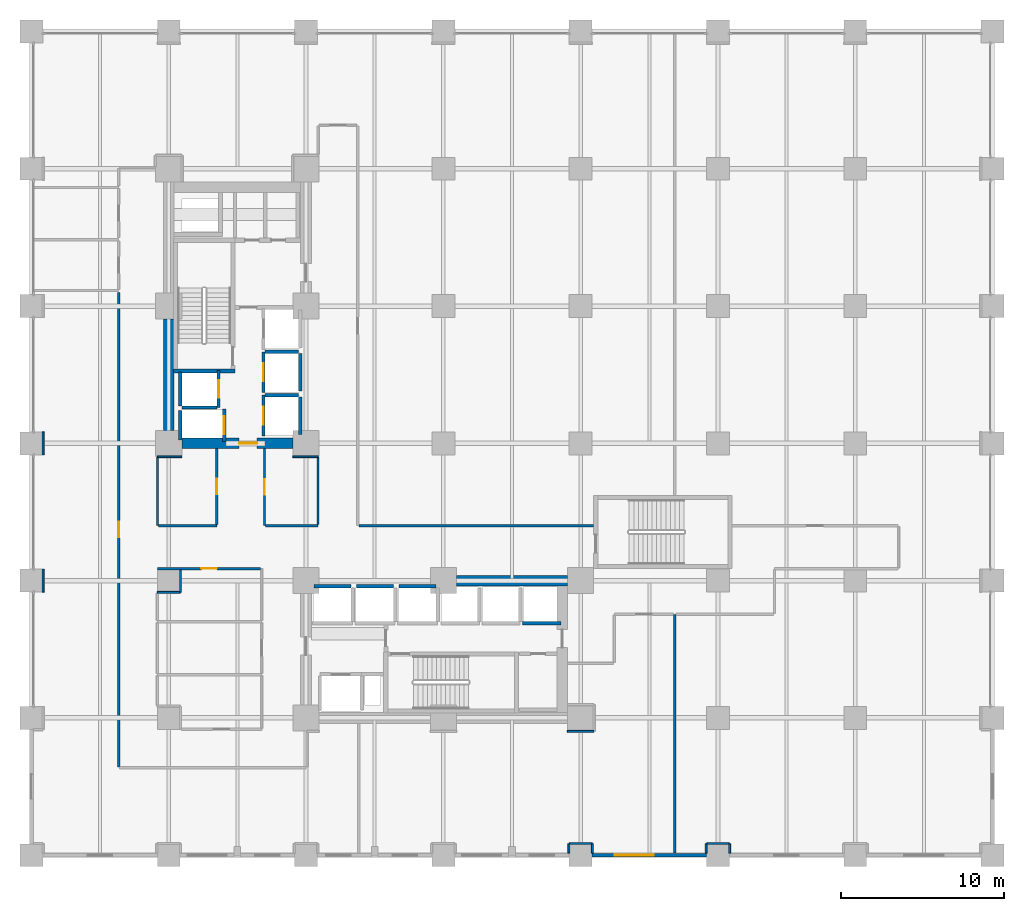
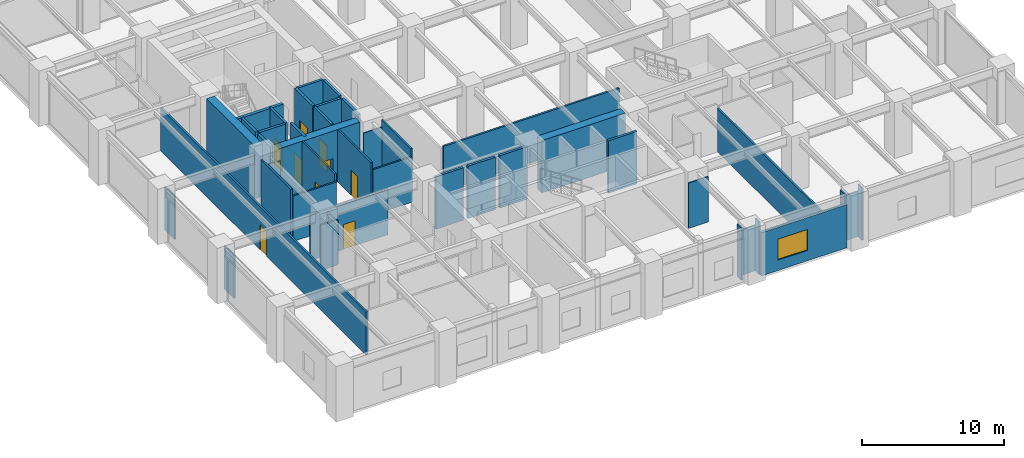
# One storey, part 20 of 23: 43 walls, 9 doors, 1 window, 10 openings.
"""IFC4 building model written with IfcOpenShell, lengths in metres."""

from ifc_helpers import new_model, si_unit, direction, frame, frame_2d, origin, place, context, subcontext, project, spatial, rectangle, extrude, material, layer, layer_set, type_object, element, fill, save


model = new_model("IFC4")

# Units and contexts
model_context = context("Model", 3, precision=1e-05, world=origin(), true_north=direction((0.0, 1.0)))
body_context = subcontext(model_context, "Body", "Model", "MODEL_VIEW")
ifc_project = project(units=[si_unit("LENGTHUNIT", "METRE"), si_unit("AREAUNIT", "SQUARE_METRE"), si_unit("VOLUMEUNIT", "CUBIC_METRE"), si_unit("PLANEANGLEUNIT", "RADIAN"), si_unit("MASSUNIT", "GRAM", prefix="KILO")], contexts=[model_context])

# Site, building, storey
site_placement = place(None, origin())
site = spatial("IfcSite", under=ifc_project, at=site_placement, CompositionType="ELEMENT")
building_placement = place(site_placement, origin())
building = spatial("IfcBuilding", under=site, at=building_placement, Name="Nerrivon Quay Data Exchange", CompositionType="ELEMENT")
storey_placement = place(building_placement, frame((0.0, 0.0, 5.39990234375)))
storey = spatial("IfcBuildingStorey", under=building, at=storey_placement, Name="L01", CompositionType="ELEMENT", Elevation=5.39990234375)

# Wall, opening, window
ifc_material_1 = material(Name="Architectural terracotta precast concrete N50 (50 MPa)", Category="masonry")
ifc_layer_1 = layer(ifc_material_1, 0.239990234375)
ifc_layer_set_1 = layer_set([ifc_layer_1], Name="Architectural terracotta precast concrete N50 (50 MPa)")
wall_type_1 = type_object("IfcWallType", Name="EW-PREC-240", PredefinedType="STANDARD", material=ifc_layer_set_1)
wall_1_placement = place(storey_placement, frame((41.300048828125, 0.0, 0.0), z_axis=(0.0, 0.0, 1.0), x_axis=(-1.0, 0.0, 0.0)))
wall_1 = element("IfcWall", 1, at=wall_1_placement, inside=storey, type_object=wall_type_1, Name="L01 Podium Precast Spandrel Wall 22", PredefinedType="STANDARD", context=body_context, shape_type="SweptSolid", body=[
    extrude(rectangle(XDim=7.0, YDim=0.239990234375, at=frame_2d((3.5, 0.0))), origin(), (0.0, 0.0, 1.0), 3.72509765625),
])
opening_1_placement = place(wall_1_placement, frame((3.22412109375, 0.0, 0.89990234375)))
opening_1 = element("IfcOpeningElement", 2, at=opening_1_placement, cuts=wall_1, Name="Opening WN1", PredefinedType="OPENING", context=body_context, shape_type="SweptSolid", body=[
    extrude(rectangle(XDim=2.39990234375, YDim=1.800048828125, at=frame_2d((1.199951171875, 0.89990234375))), frame((0.0, 0.1298828125, 0.0), z_axis=(0.0, -1.0, 0.0), x_axis=(1.0, 0.0, 0.0)), (0.0, 0.0, 1.0), 0.260009765625),
])
ifc_material_2 = material(Name="Double-glazed low-E solar control glass", Category="glass")
window_type = type_object("IfcWindowType", Name="WIN-W1-2400x1800", PartitioningType="SINGLE_PANEL", PredefinedType="WINDOW", material=ifc_material_2)
window_placement = place(opening_1_placement, origin())
window = element("IfcWindow", 3, at=window_placement, inside=storey, type_object=window_type, Name="L01 Solar Facade Window 22", OverallHeight=1.800048828125, OverallWidth=2.39990234375, PartitioningType="SINGLE_PANEL", PredefinedType="WINDOW", context=body_context, shape_type="SweptSolid", body=[
    extrude(rectangle(XDim=2.39990234375, YDim=1.800048828125, at=frame_2d((1.199951171875, 0.89990234375))), frame((0.0, 0.030029296875, 0.0), z_axis=(0.0, -1.0, 0.0), x_axis=(1.0, 0.0, 0.0)), (0.0, 0.0, 1.0), 0.06005859375),
])
fill(opening_1, window)

# Wall
ifc_material_3 = material(Name="Concrete N80 (80 MPa)", Category="concrete")
ifc_layer_2 = layer(ifc_material_3, 0.64990234375)
ifc_layer_set_2 = layer_set([ifc_layer_2], Name="Concrete N80 (80 MPa)")
wall_type_2 = type_object("IfcWallType", Name="WALL-CW-850", PredefinedType="SHEAR", material=ifc_layer_set_2)
wall_2_placement = place(storey_placement, frame((8.39990234375, 26.0, 0.0), z_axis=(0.0, 0.0, 1.0), x_axis=(0.0, 1.0, 0.0)))
element("IfcWall", 4, at=wall_2_placement, inside=storey, type_object=wall_type_2, Name="L01 West Split-Core Shear Wall WCW-W1", PredefinedType="SHEAR", context=body_context, shape_type="SweptSolid", body=[
    extrude(rectangle(XDim=6.800048828125, YDim=0.64990234375, at=frame_2d((3.39990234375, 0.0))), origin(), (0.0, 0.0, 1.0), 4.525146484375),
])

# Wall, opening, door
wall_3_placement = place(storey_placement, frame((9.199951171875, 25.199951171875, 0.0), z_axis=(0.0, 0.0, 1.0), x_axis=(1.0, 0.0, 0.0)))
wall_3 = element("IfcWall", 5, at=wall_3_placement, inside=storey, type_object=wall_type_2, Name="L01 West Split-Core Shear Wall WCW-S1", PredefinedType="SHEAR", context=body_context, shape_type="SweptSolid", body=[
    extrude(rectangle(XDim=6.800048828125, YDim=0.64990234375, at=frame_2d((3.39990234375, 0.0))), origin(), (0.0, 0.0, 1.0), 4.525146484375),
])
opening_2_placement = place(wall_3_placement, frame((3.5, 0.0, 0.0)))
opening_2 = element("IfcOpeningElement", 6, at=opening_2_placement, cuts=wall_3, Name="Opening FD-120", PredefinedType="OPENING", context=body_context, shape_type="SweptSolid", body=[
    extrude(rectangle(XDim=1.10009765625, YDim=2.14990234375, at=frame_2d((0.550048828125, 1.074951171875))), frame((0.0, 0.3349609375, 0.0), z_axis=(0.0, -1.0, 0.0), x_axis=(1.0, 0.0, 0.0)), (0.0, 0.0, 1.0), 0.669921875),
])
ifc_material_4 = material(Name="Powder-coated galvanized steel sheet", Category="steel")
door_type_1 = type_object("IfcDoorType", Name="DR-FD120-1100", OperationType="NOTDEFINED", PredefinedType="DOOR", material=ifc_material_4)
door_1_placement = place(opening_2_placement, origin())
door_1 = element("IfcDoor", 7, at=door_1_placement, inside=storey, type_object=door_type_1, Name="L01 West Core Lobby Fire Door", OperationType="SINGLE_SWING_LEFT", OverallHeight=2.14990234375, OverallWidth=1.10009765625, PredefinedType="DOOR", context=body_context, shape_type="SweptSolid", body=[
    extrude(rectangle(XDim=1.10009765625, YDim=2.14990234375, at=frame_2d((0.550048828125, 1.074951171875))), frame((0.0, 0.02490234375, 0.0), z_axis=(0.0, -1.0, 0.0), x_axis=(1.0, 0.0, 0.0)), (0.0, 0.0, 1.0), 0.050048828125),
])
fill(opening_2, door_1)

# Wall
wall_4_placement = place(storey_placement, frame((26.0, 16.800048828125, 0.0), z_axis=(0.0, 0.0, 1.0), x_axis=(1.0, 0.0, 0.0)))
element("IfcWall", 8, at=wall_4_placement, inside=storey, type_object=wall_type_2, Name="L01 East Split-Core Shear Wall ECW-N1", PredefinedType="SHEAR", context=body_context, shape_type="SweptSolid", body=[
    extrude(rectangle(XDim=6.800048828125, YDim=0.64990234375, at=frame_2d((3.39990234375, 0.0))), origin(), (0.0, 0.0, 1.0), 4.525146484375),
])

# Wall, opening, door
ifc_material_5 = material(Name="Gypsum plasterboard on cold-formed framing", Category="gypsum")
ifc_layer_3 = layer(ifc_material_5, 0.199951171875)
ifc_layer_set_3 = layer_set([ifc_layer_3], Name="Gypsum plasterboard on cold-formed framing")
wall_type_3 = type_object("IfcWallType", Name="WALL-FW-200", PredefinedType="PARTITIONING", material=ifc_layer_set_3)
wall_5_placement = place(storey_placement, frame((11.449951171875, 27.39990234375, 0.0), z_axis=(0.0, 0.0, 1.0), x_axis=(0.0, 1.0, 0.0)))
wall_5 = element("IfcWall", 9, at=wall_5_placement, inside=storey, type_object=wall_type_3, Name="L01 Lift Front Wall FFL-1", PredefinedType="PARTITIONING", context=body_context, shape_type="SweptSolid", body=[
    extrude(rectangle(XDim=2.25, YDim=0.199951171875, at=frame_2d((1.125, 0.0))), origin(), (0.0, 0.0, 1.0), 4.525146484375),
])
opening_3_placement = place(wall_5_placement, frame((0.574951171875, 0.0, 0.0)))
opening_3 = element("IfcOpeningElement", 10, at=opening_3_placement, cuts=wall_5, Name="Opening LD-120", PredefinedType="OPENING", context=body_context, shape_type="SweptSolid", body=[
    extrude(rectangle(XDim=1.10009765625, YDim=2.199951171875, at=frame_2d((0.550048828125, 1.10009765625))), frame((0.0, 0.10986328125, 0.0), z_axis=(0.0, -1.0, 0.0), x_axis=(1.0, 0.0, 0.0)), (0.0, 0.0, 1.0), 0.219970703125),
])
door_type_2 = type_object("IfcDoorType", Name="DR-LIFT-LD120", OperationType="DOUBLE_DOOR_SLIDING", PredefinedType="DOOR", material=ifc_material_4)
door_2_placement = place(opening_3_placement, origin())
door_2 = element("IfcDoor", 11, at=door_2_placement, inside=storey, type_object=door_type_2, Name="L01 Lift Landing Sliding Door FFL-1", OperationType="DOUBLE_DOOR_SLIDING", OverallHeight=2.199951171875, OverallWidth=1.10009765625, PredefinedType="DOOR", context=body_context, shape_type="SweptSolid", body=[
    extrude(rectangle(XDim=1.10009765625, YDim=2.199951171875, at=frame_2d((0.550048828125, 1.10009765625))), frame((0.0, 0.02490234375, 0.0), z_axis=(0.0, -1.0, 0.0), x_axis=(1.0, 0.0, 0.0)), (0.0, 0.0, 1.0), 0.050048828125),
])
fill(opening_3, door_2)

# Walls
wall_6_placement = place(storey_placement, frame((9.10009765625, 27.5, 0.0), z_axis=(0.0, 0.0, 1.0), x_axis=(0.0, 1.0, 0.0)))
element("IfcWall", 12, at=wall_6_placement, inside=storey, type_object=wall_type_3, Name="L01 Lift Shaft Wall FFL-1 WEST", PredefinedType="PARTITIONING", context=body_context, shape_type="SweptSolid", body=[
    extrude(rectangle(XDim=2.050048828125, YDim=0.199951171875, at=frame_2d((1.02490234375, 0.0))), origin(), (0.0, 0.0, 1.0), 4.525146484375),
])
wall_7_placement = place(storey_placement, frame((9.199951171875, 27.39990234375, 0.0), z_axis=(0.0, 0.0, 1.0), x_axis=(1.0, 0.0, 0.0)))
element("IfcWall", 13, at=wall_7_placement, inside=storey, type_object=wall_type_3, Name="L01 Lift Shaft Wall FFL-1 SOUTH", PredefinedType="PARTITIONING", context=body_context, shape_type="SweptSolid", body=[
    extrude(rectangle(XDim=2.150146484375, YDim=0.199951171875, at=frame_2d((1.0751953125, 0.0))), origin(), (0.0, 0.0, 1.0), 4.525146484375),
])

# Wall, opening, door
wall_8_placement = place(storey_placement, frame((11.800048828125, 25.300048828125, 0.0), z_axis=(0.0, 0.0, 1.0), x_axis=(0.0, 1.0, 0.0)))
wall_8 = element("IfcWall", 14, at=wall_8_placement, inside=storey, type_object=wall_type_3, Name="L01 Lift Front Wall SVL-1", PredefinedType="PARTITIONING", context=body_context, shape_type="SweptSolid", body=[
    extrude(rectangle(XDim=2.0, YDim=0.199951171875, at=frame_2d((1.0, 0.0))), origin(), (0.0, 0.0, 1.0), 4.525146484375),
])
opening_4_placement = place(wall_8_placement, frame((0.449951171875, 0.0, 0.0)))
opening_4 = element("IfcOpeningElement", 15, at=opening_4_placement, cuts=wall_8, Name="Opening LD-120", PredefinedType="OPENING", context=body_context, shape_type="SweptSolid", body=[
    extrude(rectangle(XDim=1.10009765625, YDim=2.199951171875, at=frame_2d((0.550048828125, 1.10009765625))), frame((0.0, 0.10986328125, 0.0), z_axis=(0.0, -1.0, 0.0), x_axis=(1.0, 0.0, 0.0)), (0.0, 0.0, 1.0), 0.219970703125),
])
door_3_placement = place(opening_4_placement, origin())
door_3 = element("IfcDoor", 16, at=door_3_placement, inside=storey, type_object=door_type_2, Name="L01 Lift Landing Sliding Door SVL-1", OperationType="DOUBLE_DOOR_SLIDING", OverallHeight=2.199951171875, OverallWidth=1.10009765625, PredefinedType="DOOR", context=body_context, shape_type="SweptSolid", body=[
    extrude(rectangle(XDim=1.10009765625, YDim=2.199951171875, at=frame_2d((0.550048828125, 1.10009765625))), frame((0.0, 0.02490234375, 0.0), z_axis=(0.0, -1.0, 0.0), x_axis=(1.0, 0.0, 0.0)), (0.0, 0.0, 1.0), 0.050048828125),
])
fill(opening_4, door_3)

# Wall
wall_9_placement = place(storey_placement, frame((9.10009765625, 25.39990234375, 0.0), z_axis=(0.0, 0.0, 1.0), x_axis=(0.0, 1.0, 0.0)))
element("IfcWall", 17, at=wall_9_placement, inside=storey, type_object=wall_type_3, Name="L01 Lift Shaft Wall SVL-1 WEST", PredefinedType="PARTITIONING", context=body_context, shape_type="SweptSolid", body=[
    extrude(rectangle(XDim=1.800048828125, YDim=0.199951171875, at=frame_2d((0.89990234375, 0.0))), origin(), (0.0, 0.0, 1.0), 4.525146484375),
])

# Wall, opening, door
wall_10_placement = place(storey_placement, frame((14.199951171875, 25.64990234375, 0.0), z_axis=(0.0, 0.0, 1.0), x_axis=(0.0, 1.0, 0.0)))
wall_10 = element("IfcWall", 18, at=wall_10_placement, inside=storey, type_object=wall_type_3, Name="L01 Lift Front Wall PL1", PredefinedType="PARTITIONING", context=body_context, shape_type="SweptSolid", body=[
    extrude(rectangle(XDim=2.5, YDim=0.199951171875, at=frame_2d((1.25, 0.0))), origin(), (0.0, 0.0, 1.0), 4.525146484375),
])
opening_5_placement = place(wall_10_placement, frame((0.699951171875, 0.0, 0.0)))
opening_5 = element("IfcOpeningElement", 19, at=opening_5_placement, cuts=wall_10, Name="Opening LD-120", PredefinedType="OPENING", context=body_context, shape_type="SweptSolid", body=[
    extrude(rectangle(XDim=1.10009765625, YDim=2.199951171875, at=frame_2d((0.550048828125, 1.10009765625))), frame((0.0, 0.10986328125, 0.0), z_axis=(0.0, -1.0, 0.0), x_axis=(1.0, 0.0, 0.0)), (0.0, 0.0, 1.0), 0.219970703125),
])
door_4_placement = place(opening_5_placement, origin())
door_4 = element("IfcDoor", 20, at=door_4_placement, inside=storey, type_object=door_type_2, Name="L01 Lift Landing Sliding Door PL1", OperationType="DOUBLE_DOOR_SLIDING", OverallHeight=2.199951171875, OverallWidth=1.10009765625, PredefinedType="DOOR", context=body_context, shape_type="SweptSolid", body=[
    extrude(rectangle(XDim=1.10009765625, YDim=2.199951171875, at=frame_2d((0.550048828125, 1.10009765625))), frame((0.0, 0.02490234375, 0.0), z_axis=(0.0, -1.0, 0.0), x_axis=(1.0, 0.0, 0.0)), (0.0, 0.0, 1.0), 0.050048828125),
])
fill(opening_5, door_4)

# Walls
wall_11_placement = place(storey_placement, frame((16.449951171875, 25.75, 0.0), z_axis=(0.0, 0.0, 1.0), x_axis=(0.0, 1.0, 0.0)))
element("IfcWall", 21, at=wall_11_placement, inside=storey, type_object=wall_type_3, Name="L01 Lift Shaft Wall PL1 EAST", PredefinedType="PARTITIONING", context=body_context, shape_type="SweptSolid", body=[
    extrude(rectangle(XDim=2.300048828125, YDim=0.199951171875, at=frame_2d((1.14990234375, 0.0))), origin(), (0.0, 0.0, 1.0), 4.525146484375),
])
wall_12_placement = place(storey_placement, frame((14.300048828125, 28.14990234375, 0.0), z_axis=(0.0, 0.0, 1.0), x_axis=(1.0, 0.0, 0.0)))
element("IfcWall", 22, at=wall_12_placement, inside=storey, type_object=wall_type_3, Name="L01 Lift Shaft Wall PL1 NORTH", PredefinedType="PARTITIONING", context=body_context, shape_type="SweptSolid", body=[
    extrude(rectangle(XDim=2.050048828125, YDim=0.199951171875, at=frame_2d((1.02490234375, 0.0))), origin(), (0.0, 0.0, 1.0), 4.525146484375),
])

# Wall, opening, door
wall_13_placement = place(storey_placement, frame((14.199951171875, 28.300048828125, 0.0), z_axis=(0.0, 0.0, 1.0), x_axis=(0.0, 1.0, 0.0)))
wall_13 = element("IfcWall", 23, at=wall_13_placement, inside=storey, type_object=wall_type_3, Name="L01 Lift Front Wall PL2", PredefinedType="PARTITIONING", context=body_context, shape_type="SweptSolid", body=[
    extrude(rectangle(XDim=2.5, YDim=0.199951171875, at=frame_2d((1.25, 0.0))), origin(), (0.0, 0.0, 1.0), 4.525146484375),
])
opening_6_placement = place(wall_13_placement, frame((0.699951171875, 0.0, 0.0)))
opening_6 = element("IfcOpeningElement", 24, at=opening_6_placement, cuts=wall_13, Name="Opening LD-120", PredefinedType="OPENING", context=body_context, shape_type="SweptSolid", body=[
    extrude(rectangle(XDim=1.10009765625, YDim=2.199951171875, at=frame_2d((0.550048828125, 1.10009765625))), frame((0.0, 0.10986328125, 0.0), z_axis=(0.0, -1.0, 0.0), x_axis=(1.0, 0.0, 0.0)), (0.0, 0.0, 1.0), 0.219970703125),
])
door_5_placement = place(opening_6_placement, origin())
door_5 = element("IfcDoor", 25, at=door_5_placement, inside=storey, type_object=door_type_2, Name="L01 Lift Landing Sliding Door PL2", OperationType="DOUBLE_DOOR_SLIDING", OverallHeight=2.199951171875, OverallWidth=1.10009765625, PredefinedType="DOOR", context=body_context, shape_type="SweptSolid", body=[
    extrude(rectangle(XDim=1.10009765625, YDim=2.199951171875, at=frame_2d((0.550048828125, 1.10009765625))), frame((0.0, 0.02490234375, 0.0), z_axis=(0.0, -1.0, 0.0), x_axis=(1.0, 0.0, 0.0)), (0.0, 0.0, 1.0), 0.050048828125),
])
fill(opening_6, door_5)

# Walls
wall_14_placement = place(storey_placement, frame((16.449951171875, 28.39990234375, 0.0), z_axis=(0.0, 0.0, 1.0), x_axis=(0.0, 1.0, 0.0)))
element("IfcWall", 26, at=wall_14_placement, inside=storey, type_object=wall_type_3, Name="L01 Lift Shaft Wall PL2 EAST", PredefinedType="PARTITIONING", context=body_context, shape_type="SweptSolid", body=[
    extrude(rectangle(XDim=2.300048828125, YDim=0.199951171875, at=frame_2d((1.14990234375, 0.0))), origin(), (0.0, 0.0, 1.0), 4.525146484375),
])
wall_15_placement = place(storey_placement, frame((14.300048828125, 30.800048828125, 0.0), z_axis=(0.0, 0.0, 1.0), x_axis=(1.0, 0.0, 0.0)))
element("IfcWall", 27, at=wall_15_placement, inside=storey, type_object=wall_type_3, Name="L01 Lift Shaft Wall PL2 NORTH", PredefinedType="PARTITIONING", context=body_context, shape_type="SweptSolid", body=[
    extrude(rectangle(XDim=2.050048828125, YDim=0.199951171875, at=frame_2d((1.02490234375, 0.0))), origin(), (0.0, 0.0, 1.0), 4.525146484375),
])
for number, where, z_axis, x_axis, name in (
    (28, (17.300048828125, 16.449951171875, 0.0), (0.0, 0.0, 1.0), (1.0, 0.0, 0.0), "L01 Lift Shaft Wall PL4 NORTH"),
    (29, (19.89990234375, 16.449951171875, 0.0), (0.0, 0.0, 1.0), (1.0, 0.0, 0.0), "L01 Lift Shaft Wall PL5 NORTH"),
    (30, (22.5, 16.449951171875, 0.0), (0.0, 0.0, 1.0), (1.0, 0.0, 0.0), "L01 Lift Shaft Wall PL6 NORTH"),
):
    element("IfcWall", number, at=place(storey_placement, frame(where, z_axis=z_axis, x_axis=x_axis)), inside=storey, type_object=wall_type_3, Name=name, PredefinedType="PARTITIONING", context=body_context, shape_type="SweptSolid", body=[
        extrude(rectangle(XDim=2.25, YDim=0.199951171875, at=frame_2d((1.125, 0.0))), origin(), (0.0, 0.0, 1.0), 4.525146484375),
    ])
wall_16_placement = place(storey_placement, frame((30.050048828125, 14.199951171875, 0.0), z_axis=(0.0, 0.0, 1.0), x_axis=(1.0, 0.0, 0.0)))
element("IfcWall", 31, at=wall_16_placement, inside=storey, type_object=wall_type_3, Name="L01 Lift Front Wall PL9", PredefinedType="PARTITIONING", context=body_context, shape_type="SweptSolid", body=[
    extrude(rectangle(XDim=2.349853515625, YDim=0.199951171875, at=frame_2d((1.1748046875, 0.0))), origin(), (0.0, 0.0, 1.0), 4.525146484375),
])
ifc_layer_4 = layer(ifc_material_5, 0.1201171875)
ifc_layer_set_4 = layer_set([ifc_layer_4], Name="Gypsum plasterboard on cold-formed framing")
wall_type_4 = type_object("IfcWallType", Name="WALL-PT-120", PredefinedType="PARTITIONING", material=ifc_layer_set_4)
wall_17_placement = place(storey_placement, frame((17.5400390625, 24.3798828125, 0.0), z_axis=(0.0, 0.0, 1.0), x_axis=(-0.99999980047, 0.000631711813, 0.0)))
element("IfcWall", 32, at=wall_17_placement, inside=storey, type_object=wall_type_4, Name="L01 Partition Staff Pantry", PredefinedType="PARTITIONING", context=body_context, shape_type="SweptSolid", body=[
    extrude(rectangle(XDim=1.5458984375, YDim=0.1201171875, at=frame_2d((0.77294921875, 0.0))), origin(), (0.0, 0.0, 1.0), 3.9130859375),
])
wall_18_placement = place(storey_placement, frame((9.1201171875, 17.4609375, 0.0), z_axis=(0.0, 0.0, 1.0), x_axis=(0.0, -1.0, 0.0)))
element("IfcWall", 33, at=wall_18_placement, inside=storey, type_object=wall_type_4, Name="L01 Partition Subsea Meet-Me Operations Workspace", PredefinedType="PARTITIONING", context=body_context, shape_type="SweptSolid", body=[
    extrude(rectangle(XDim=1.36083984375, YDim=0.1201171875, at=frame_2d((0.680419921875, 0.0))), origin(), (0.0, 0.0, 1.0), 3.72509765625),
])
wall_19_placement = place(storey_placement, frame((9.10009765625, 16.080078125, 0.0), z_axis=(0.0, 0.0, 1.0), x_axis=(-1.0, 0.0, 0.0)))
element("IfcWall", 34, at=wall_19_placement, inside=storey, type_object=wall_type_4, Name="L01 Partition Subsea Meet-Me Operations Workspace", PredefinedType="PARTITIONING", context=body_context, shape_type="SweptSolid", body=[
    extrude(rectangle(XDim=1.39013671875, YDim=0.1201171875, at=frame_2d((0.695068359375, 0.0))), origin(), (0.0, 0.0, 1.0), 3.9130859375),
])
wall_20_placement = place(storey_placement, frame((34.40380859375, 7.580322265625, 0.0), z_axis=(0.0, 0.0, 1.0), x_axis=(-0.999999953989, 0.000303352026, 0.0)))
element("IfcWall", 35, at=wall_20_placement, inside=storey, type_object=wall_type_4, Name="L01 Partition Client Conference Room 1", PredefinedType="PARTITIONING", context=body_context, shape_type="SweptSolid", body=[
    extrude(rectangle(XDim=1.609619140625, YDim=0.1201171875, at=frame_2d((0.8046875, 0.0))), origin(), (0.0, 0.0, 1.0), 3.9130859375),
])
wall_21_placement = place(storey_placement, frame((32.8798828125, 0.1240234375, 0.0), z_axis=(0.0, 0.0, 1.0), x_axis=(0.0, 1.0, 0.0)))
element("IfcWall", 36, at=wall_21_placement, inside=storey, type_object=wall_type_4, Name="L01 Partition Client Conference Room 1", PredefinedType="PARTITIONING", context=body_context, shape_type="SweptSolid", body=[
    extrude(rectangle(XDim=0.575927734375, YDim=0.1201171875, at=frame_2d((0.2880859375, 0.0))), origin(), (0.0, 0.0, 1.0), 4.525146484375),
])
wall_22_placement = place(storey_placement, frame((32.89990234375, 0.719970703125, 0.0), z_axis=(0.0, 0.0, 1.0), x_axis=(1.0, 0.0, 0.0)))
element("IfcWall", 37, at=wall_22_placement, inside=storey, type_object=wall_type_4, Name="L01 Partition Client Conference Room 1", PredefinedType="PARTITIONING", context=body_context, shape_type="SweptSolid", body=[
    extrude(rectangle(XDim=1.400146484375, YDim=0.1201171875, at=frame_2d((0.7001953125, 0.0))), origin(), (0.0, 0.0, 1.0), 3.9130859375),
])
wall_23_placement = place(storey_placement, frame((34.320068359375, 0.699951171875, 0.0), z_axis=(0.0, 0.0, 1.0), x_axis=(0.0, -1.0, 0.0)))
element("IfcWall", 38, at=wall_23_placement, inside=storey, type_object=wall_type_4, Name="L01 Partition Client Conference Room 1", PredefinedType="PARTITIONING", context=body_context, shape_type="SweptSolid", body=[
    extrude(rectangle(XDim=0.575927734375, YDim=0.1201171875, at=frame_2d((0.2880859375, 0.0))), origin(), (0.0, 0.0, 1.0), 4.525146484375),
])
wall_24_placement = place(storey_placement, frame((9.205810546875, 24.380859375, 0.0), z_axis=(0.0, 0.0, 1.0), x_axis=(-0.999999786895, -0.00065284791, 0.0)))
element("IfcWall", 39, at=wall_24_placement, inside=storey, type_object=wall_type_4, Name="L01 Partition Technical Seminar Room", PredefinedType="PARTITIONING", context=body_context, shape_type="SweptSolid", body=[
    extrude(rectangle(XDim=1.495849609375, YDim=0.1201171875, at=frame_2d((0.748046875, 0.0))), origin(), (0.0, 0.0, 1.0), 3.9130859375),
])
for number, where, z_axis, x_axis, name in (
    (40, (0.719970703125, 25.89990234375, 0.0), (0.0, 0.0, 1.0), (0.0, -1.0, 0.0), "L01 Partition Technical Library"),
    (41, (0.719970703125, 17.5, 0.0), (0.0, 0.0, 1.0), (0.0, -1.0, 0.0), "L01 Partition Technical Library"),
):
    element("IfcWall", number, at=place(storey_placement, frame(where, z_axis=z_axis, x_axis=x_axis)), inside=storey, type_object=wall_type_4, Name=name, PredefinedType="PARTITIONING", context=body_context, shape_type="SweptSolid", body=[
        extrude(rectangle(XDim=1.39990234375, YDim=0.1201171875, at=frame_2d((0.699951171875, 0.0))), origin(), (0.0, 0.0, 1.0), 3.72509765625),
    ])
wall_25_placement = place(storey_placement, frame((41.280029296875, 0.1240234375, 0.0), z_axis=(0.0, 0.0, 1.0), x_axis=(0.0, 1.0, 0.0)))
element("IfcWall", 42, at=wall_25_placement, inside=storey, type_object=wall_type_4, Name="L01 Partition Subsea Meet-Me Operations Workspace 9", PredefinedType="PARTITIONING", context=body_context, shape_type="SweptSolid", body=[
    extrude(rectangle(XDim=0.575927734375, YDim=0.1201171875, at=frame_2d((0.2880859375, 0.0))), origin(), (0.0, 0.0, 1.0), 4.525146484375),
])
wall_26_placement = place(storey_placement, frame((41.300048828125, 0.719970703125, 0.0), z_axis=(0.0, 0.0, 1.0), x_axis=(1.0, 0.0, 0.0)))
element("IfcWall", 43, at=wall_26_placement, inside=storey, type_object=wall_type_4, Name="L01 Partition Subsea Meet-Me Operations Workspace 9", PredefinedType="PARTITIONING", context=body_context, shape_type="SweptSolid", body=[
    extrude(rectangle(XDim=1.39990234375, YDim=0.1201171875, at=frame_2d((0.699951171875, 0.0))), origin(), (0.0, 0.0, 1.0), 3.9130859375),
])
wall_27_placement = place(storey_placement, frame((42.719970703125, 0.699951171875, 0.0), z_axis=(0.0, 0.0, 1.0), x_axis=(0.0, -1.0, 0.0)))
element("IfcWall", 44, at=wall_27_placement, inside=storey, type_object=wall_type_4, Name="L01 Partition Subsea Meet-Me Operations Workspace 9", PredefinedType="PARTITIONING", context=body_context, shape_type="SweptSolid", body=[
    extrude(rectangle(XDim=0.575927734375, YDim=0.1201171875, at=frame_2d((0.2880859375, 0.0))), origin(), (0.0, 0.0, 1.0), 4.525146484375),
])

# Wall, opening, door
ifc_layer_5 = layer(ifc_material_5, 0.135009765625)
ifc_layer_set_5 = layer_set([ifc_layer_5], Name="Gypsum plasterboard on cold-formed framing")
wall_type_5 = type_object("IfcWallType", Name="WALL-PT-135", PredefinedType="PARTITIONING", material=ifc_layer_set_5)
wall_28_placement = place(storey_placement, frame((14.260009765625, 24.87109375, 0.0), z_axis=(0.0, 0.0, 1.0), x_axis=(0.0, -1.0, 0.0)))
wall_28 = element("IfcWall", 45, at=wall_28_placement, inside=storey, type_object=wall_type_5, Name="L01 Partition Staff Pantry", PredefinedType="PARTITIONING", context=body_context, shape_type="SweptSolid", body=[
    extrude(rectangle(XDim=4.711181640625, YDim=0.135009765625, at=frame_2d((2.35546875, 0.0))), origin(), (0.0, 0.0, 1.0), 4.525146484375),
])
opening_7_placement = place(wall_28_placement, frame((1.880615234375, 0.0, 0.0)))
opening_7 = element("IfcOpeningElement", 46, at=opening_7_placement, cuts=wall_28, Name="Opening D-01", PredefinedType="OPENING", context=body_context, shape_type="SweptSolid", body=[
    extrude(rectangle(XDim=0.949951171875, YDim=2.14990234375, at=frame_2d((0.47509765625, 1.074951171875))), frame((0.0, 0.077392578125, 0.0), z_axis=(0.0, -1.0, 0.0), x_axis=(1.0, 0.0, 0.0)), (0.0, 0.0, 1.0), 0.155029296875),
])
ifc_material_6 = material(Name="Engineered hardwood timber", Category="wood")
door_type_3 = type_object("IfcDoorType", Name="DR-INT-950", OperationType="NOTDEFINED", PredefinedType="DOOR", material=ifc_material_6)
door_6_placement = place(opening_7_placement, origin())
door_6 = element("IfcDoor", 47, at=door_6_placement, inside=storey, type_object=door_type_3, Name="L01 Door Staff Pantry", OperationType="SINGLE_SWING_RIGHT", OverallHeight=2.14990234375, OverallWidth=0.949951171875, PredefinedType="DOOR", context=body_context, shape_type="SweptSolid", body=[
    extrude(rectangle(XDim=0.949951171875, YDim=2.14990234375, at=frame_2d((0.47509765625, 1.074951171875))), frame((0.0, 0.02490234375, 0.0), z_axis=(0.0, -1.0, 0.0), x_axis=(1.0, 0.0, 0.0)), (0.0, 0.0, 1.0), 0.050048828125),
])
fill(opening_7, door_6)

# Walls
wall_29_placement = place(storey_placement, frame((14.33154296875, 20.159912109375, 0.0), z_axis=(0.0, 0.0, 1.0), x_axis=(1.0, 0.0, 0.0)))
element("IfcWall", 48, at=wall_29_placement, inside=storey, type_object=wall_type_5, Name="L01 Partition Staff Pantry", PredefinedType="PARTITIONING", context=body_context, shape_type="SweptSolid", body=[
    extrude(rectangle(XDim=3.20849609375, YDim=0.135009765625, at=frame_2d((1.604248046875, 0.0))), origin(), (0.0, 0.0, 1.0), 3.9130859375),
])
wall_30_placement = place(storey_placement, frame((17.5400390625, 20.2314453125, 0.0), z_axis=(0.0, 0.0, 1.0), x_axis=(0.0, 1.0, 0.0)))
element("IfcWall", 49, at=wall_30_placement, inside=storey, type_object=wall_type_5, Name="L01 Partition Staff Pantry", PredefinedType="PARTITIONING", context=body_context, shape_type="SweptSolid", body=[
    extrude(rectangle(XDim=4.1484375, YDim=0.135009765625, at=frame_2d((2.07421875, 0.0))), origin(), (0.0, 0.0, 1.0), 4.525146484375),
])
wall_31_placement = place(storey_placement, frame((7.7099609375, 24.3798828125, 0.0), z_axis=(0.0, 0.0, 1.0), x_axis=(0.0, -1.0, 0.0)))
element("IfcWall", 50, at=wall_31_placement, inside=storey, type_object=wall_type_5, Name="L01 Partition Technical Seminar Room", PredefinedType="PARTITIONING", context=body_context, shape_type="SweptSolid", body=[
    extrude(rectangle(XDim=4.219970703125, YDim=0.135009765625, at=frame_2d((2.10986328125, 0.0))), origin(), (0.0, 0.0, 1.0), 4.525146484375),
])
wall_32_placement = place(storey_placement, frame((7.781494140625, 20.159912109375, 0.0), z_axis=(0.0, 0.0, 1.0), x_axis=(1.0, 0.0, 0.0)))
element("IfcWall", 51, at=wall_32_placement, inside=storey, type_object=wall_type_5, Name="L01 Partition Technical Seminar Room", PredefinedType="PARTITIONING", context=body_context, shape_type="SweptSolid", body=[
    extrude(rectangle(XDim=3.55859375, YDim=0.135009765625, at=frame_2d((1.779296875, 0.0))), origin(), (0.0, 0.0, 1.0), 3.9130859375),
])

# Wall, opening, door
wall_33_placement = place(storey_placement, frame((11.340087890625, 20.2314453125, 0.0), z_axis=(0.0, 0.0, 1.0), x_axis=(0.0, 1.0, 0.0)))
wall_33 = element("IfcWall", 52, at=wall_33_placement, inside=storey, type_object=wall_type_5, Name="L01 Partition Technical Seminar Room", PredefinedType="PARTITIONING", context=body_context, shape_type="SweptSolid", body=[
    extrude(rectangle(XDim=4.6396484375, YDim=0.135009765625, at=frame_2d((2.31982421875, 0.0))), origin(), (0.0, 0.0, 1.0), 4.525146484375),
])
opening_8_placement = place(wall_33_placement, frame((1.8447265625, 0.0, 0.0)))
opening_8 = element("IfcOpeningElement", 53, at=opening_8_placement, cuts=wall_33, Name="Opening D-01", PredefinedType="OPENING", context=body_context, shape_type="SweptSolid", body=[
    extrude(rectangle(XDim=0.949951171875, YDim=2.14990234375, at=frame_2d((0.47509765625, 1.074951171875))), frame((0.0, 0.077392578125, 0.0), z_axis=(0.0, -1.0, 0.0), x_axis=(1.0, 0.0, 0.0)), (0.0, 0.0, 1.0), 0.155029296875),
])
door_7_placement = place(opening_8_placement, origin())
door_7 = element("IfcDoor", 54, at=door_7_placement, inside=storey, type_object=door_type_3, Name="L01 Door Technical Seminar Room", OperationType="SINGLE_SWING_RIGHT", OverallHeight=2.14990234375, OverallWidth=0.949951171875, PredefinedType="DOOR", context=body_context, shape_type="SweptSolid", body=[
    extrude(rectangle(XDim=0.949951171875, YDim=2.14990234375, at=frame_2d((0.47509765625, 1.074951171875))), frame((0.0, 0.02490234375, 0.0), z_axis=(0.0, -1.0, 0.0), x_axis=(1.0, 0.0, 0.0)), (0.0, 0.0, 1.0), 0.050048828125),
])
fill(opening_8, door_7)

ifc_layer_6 = layer(ifc_material_5, 0.14990234375)
ifc_layer_set_6 = layer_set([ifc_layer_6], Name="Gypsum plasterboard on cold-formed framing")
wall_type_6 = type_object("IfcWallType", Name="WALL-PT-150", PredefinedType="PARTITIONING", material=ifc_layer_set_6)
wall_34_placement = place(storey_placement, frame((14.02587890625, 17.5400390625, 0.0), z_axis=(0.0, 0.0, 1.0), x_axis=(-1.0, 0.0, 0.0)))
wall_34 = element("IfcWall", 55, at=wall_34_placement, inside=storey, type_object=wall_type_6, Name="L01 Partition Subsea Meet-Me Operations Workspace", PredefinedType="PARTITIONING", context=body_context, shape_type="SweptSolid", body=[
    extrude(rectangle(XDim=6.31591796875, YDim=0.14990234375, at=frame_2d((3.157958984375, 0.0))), origin(), (0.0, 0.0, 1.0), 3.9130859375),
])
opening_9_placement = place(wall_34_placement, frame((2.68310546875, 0.0, 0.0)))
opening_9 = element("IfcOpeningElement", 56, at=opening_9_placement, cuts=wall_34, Name="Opening D-01", PredefinedType="OPENING", context=body_context, shape_type="SweptSolid", body=[
    extrude(rectangle(XDim=0.949951171875, YDim=2.14990234375, at=frame_2d((0.47509765625, 1.074951171875))), frame((0.0, 0.0849609375, 0.0), z_axis=(0.0, -1.0, 0.0), x_axis=(1.0, 0.0, 0.0)), (0.0, 0.0, 1.0), 0.169921875),
])
door_8_placement = place(opening_9_placement, origin())
door_8 = element("IfcDoor", 57, at=door_8_placement, inside=storey, type_object=door_type_3, Name="L01 Door Subsea Meet-Me Operations Workspace", OperationType="SINGLE_SWING_LEFT", OverallHeight=2.14990234375, OverallWidth=0.949951171875, PredefinedType="DOOR", context=body_context, shape_type="SweptSolid", body=[
    extrude(rectangle(XDim=0.949951171875, YDim=2.14990234375, at=frame_2d((0.47509765625, 1.074951171875))), frame((0.0, 0.02490234375, 0.0), z_axis=(0.0, -1.0, 0.0), x_axis=(1.0, 0.0, 0.0)), (0.0, 0.0, 1.0), 0.050048828125),
])
fill(opening_9, door_8)

# Wall
wall_35_placement = place(storey_placement, frame((39.362060546875, 0.1240234375, 0.0), z_axis=(0.0, 0.0, 1.0), x_axis=(0.0, 1.0, 0.0)))
element("IfcWall", 58, at=wall_35_placement, inside=storey, type_object=wall_type_6, Name="L01 Partition Client Conference Room 1", PredefinedType="PARTITIONING", context=body_context, shape_type="SweptSolid", body=[
    extrude(rectangle(XDim=14.615966796875, YDim=0.14990234375, at=frame_2d((7.30810546875, 0.0))), origin(), (0.0, 0.0, 1.0), 3.72509765625),
])

# Wall, opening, door
wall_36_placement = place(storey_placement, frame((5.340087890625, 5.39990234375, 0.0), z_axis=(0.0, 0.0, 1.0), x_axis=(0.0, 1.0, 0.0)))
wall_36 = element("IfcWall", 59, at=wall_36_placement, inside=storey, type_object=wall_type_6, Name="L01 Partition Technical Library", PredefinedType="PARTITIONING", context=body_context, shape_type="SweptSolid", body=[
    extrude(rectangle(XDim=29.030029296875, YDim=0.14990234375, at=frame_2d((14.51513671875, 0.0))), origin(), (0.0, 0.0, 1.0), 3.72509765625),
])
opening_10_placement = place(wall_36_placement, frame((14.0400390625, 0.0, 0.0)))
opening_10 = element("IfcOpeningElement", 60, at=opening_10_placement, cuts=wall_36, Name="Opening D-01", PredefinedType="OPENING", context=body_context, shape_type="SweptSolid", body=[
    extrude(rectangle(XDim=0.949951171875, YDim=2.14990234375, at=frame_2d((0.47509765625, 1.074951171875))), frame((0.0, 0.0849609375, 0.0), z_axis=(0.0, -1.0, 0.0), x_axis=(1.0, 0.0, 0.0)), (0.0, 0.0, 1.0), 0.169921875),
])
door_9_placement = place(opening_10_placement, origin())
door_9 = element("IfcDoor", 61, at=door_9_placement, inside=storey, type_object=door_type_3, Name="L01 Door Technical Library", OperationType="SINGLE_SWING_LEFT", OverallHeight=2.14990234375, OverallWidth=0.949951171875, PredefinedType="DOOR", context=body_context, shape_type="SweptSolid", body=[
    extrude(rectangle(XDim=0.949951171875, YDim=2.14990234375, at=frame_2d((0.47509765625, 1.074951171875))), frame((0.0, 0.02490234375, 0.0), z_axis=(0.0, -1.0, 0.0), x_axis=(1.0, 0.0, 0.0)), (0.0, 0.0, 1.0), 0.050048828125),
])
fill(opening_10, door_9)

# Walls
wall_37_placement = place(storey_placement, frame((20.0439453125, 20.159912109375, 0.0), z_axis=(0.0, 0.0, 1.0), x_axis=(1.0, 0.0, 0.0)))
element("IfcWall", 62, at=wall_37_placement, inside=storey, type_object=wall_type_6, Name="L01 Partition Staff Pantry 8", PredefinedType="PARTITIONING", context=body_context, shape_type="SweptSolid", body=[
    extrude(rectangle(XDim=14.35205078125, YDim=0.14990234375, at=frame_2d((7.176025390625, 0.0))), origin(), (0.0, 0.0, 1.0), 3.9130859375),
])
ifc_material_7 = material(Name="Concrete N50 (50 MPa)", Category="concrete")
ifc_layer_7 = layer(ifc_material_7, 0.25)
ifc_layer_set_7 = layer_set([ifc_layer_7], Name="Concrete N50 (50 MPa)")
wall_type_7 = type_object("IfcWallType", Name="WALL-SW-250", PredefinedType="SHEAR", material=ifc_layer_set_7)
wall_38_placement = place(storey_placement, frame((12.449951171875, 29.625, 0.0), z_axis=(0.0, 0.0, 1.0), x_axis=(-1.0, 0.0, 0.0)))
element("IfcWall", 63, at=wall_38_placement, inside=storey, type_object=wall_type_7, Name="L01 ST01 Structural Stair Core Wall NEAR", PredefinedType="SHEAR", context=body_context, shape_type="SweptSolid", body=[
    extrude(rectangle(XDim=3.75, YDim=0.25, at=frame_2d((1.875, 0.0))), origin(), (0.0, 0.0, 1.0), 4.525146484375),
])

save(model, "model.ifc")
